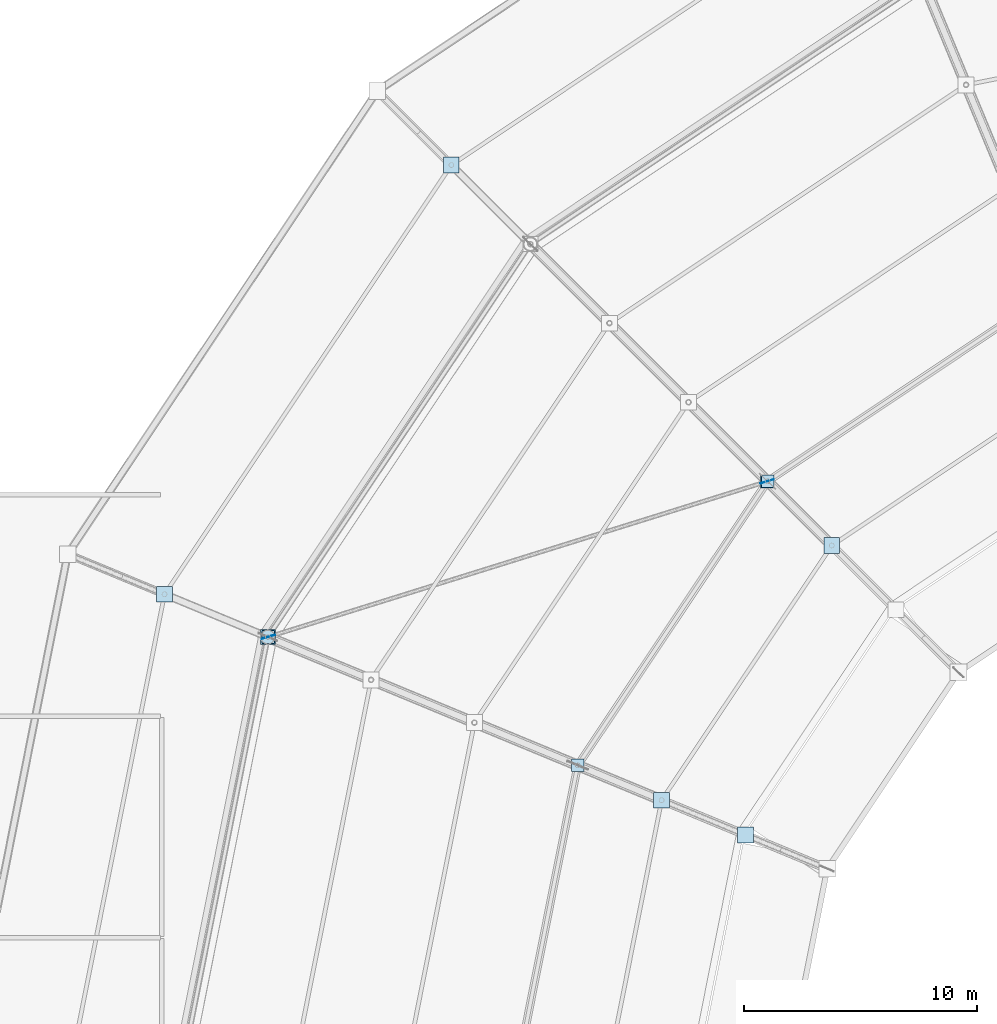
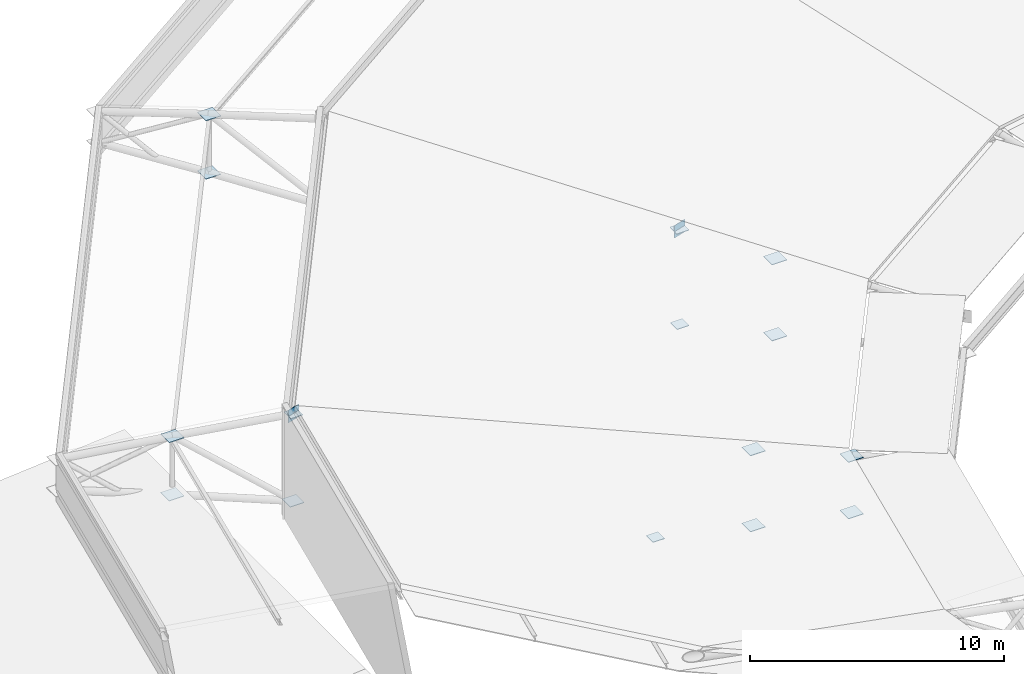
# One storey, part 131 of 146: 17 plates.
"""IFC4 building model written with IfcOpenShell, lengths in metres."""

from ifc_helpers import new_model, si_unit, direction, frame, origin, origin_2d, place, context, subcontext, project, spatial, rectangle, extrude, material, layer, layer_set, type_object, element, save


model = new_model("IFC4")

# Units and contexts
model_context = context("Model", 3, precision=1e-05, world=origin(), true_north=direction((0.0, 1.0)))
body_context = subcontext(model_context, "Body", "Model", "MODEL_VIEW")
ifc_project = project(units=[si_unit("LENGTHUNIT", "METRE"), si_unit("AREAUNIT", "SQUARE_METRE"), si_unit("VOLUMEUNIT", "CUBIC_METRE"), si_unit("PLANEANGLEUNIT", "RADIAN"), si_unit("MASSUNIT", "GRAM", prefix="KILO")], contexts=[model_context])

# Site, building, storey
site_placement = place(None, origin())
site = spatial("IfcSite", under=ifc_project, at=site_placement, CompositionType="ELEMENT")
building_placement = place(site_placement, origin())
building = spatial("IfcBuilding", under=site, at=building_placement, Name="Candeia Ridge Stadium", CompositionType="ELEMENT")
storey_placement = place(building_placement, frame((0.0, 0.0, 31.800048828125)))
storey = spatial("IfcBuildingStorey", under=building, at=storey_placement, Name="RF", CompositionType="ELEMENT", Elevation=31.800048828125)

# Plates
ifc_material = material(Name="Steel ASTM A572 Grade 50", Category="steel")
ifc_layer_1 = layer(ifc_material, 0.02490234375, Name="Steel ASTM A572 Grade 50", Category="steel")
ifc_layer_set_1 = layer_set([ifc_layer_1], Name="Steel ASTM A572 Grade 50")
plate_type_1 = type_object("IfcPlateType", Name="Hollow Section End Closure Plate CP1", PredefinedType="SHEET", material=ifc_layer_set_1)
for number, where, z_axis, x_axis, name in (
    (1, (44.412841796875, 121.587158203125, -2.676513671875), (0.0, 0.0, 1.0), (1.0, 0.0, 0.0), "Hollow section end closure plate MCAP-T-BC-MD-09"),
    (2, (36.26220703125, 109.388916015625, -2.676513671875), (0.0, 0.0, 1.0), (1.0, 0.0, 0.0), "Hollow section end closure plate MCAP-T-BC-MD-10"),
):
    element("IfcPlate", number, at=place(storey_placement, frame(where, z_axis=z_axis, x_axis=x_axis)), inside=storey, type_object=plate_type_1, Name=name, PredefinedType="SHEET", context=body_context, shape_type="SweptSolid", body=[
        extrude(rectangle(XDim=0.5400390625, YDim=0.5400390625, at=origin_2d()), origin(), (0.0, 0.0, 1.0), 0.02490234375),
    ])
plate_placement = place(storey_placement, frame((22.958251953125, 114.899658203125, 0.387451171875), z_axis=(0.0, 0.0, 1.0), x_axis=(1.0, 0.0, 0.0)))
element("IfcPlate", 3, at=plate_placement, inside=storey, type_object=plate_type_1, Name="Hollow section end closure plate MCAP-T-BC-OU-10", PredefinedType="SHEET", context=body_context, shape_type="SweptSolid", body=[
    extrude(rectangle(XDim=0.639892578125, YDim=0.639892578125, at=origin_2d()), origin(), (0.0, 0.0, 1.0), 0.02490234375),
])
ifc_layer_2 = layer(ifc_material, 0.02490234375, Name="Steel ASTM A572 Grade 50", Category="steel")
ifc_layer_set_2 = layer_set([ifc_layer_2], Name="Steel ASTM A572 Grade 50")
plate_type_2 = type_object("IfcPlateType", Name="Hollow Section End Closure Plate CP3", PredefinedType="SHEET", material=ifc_layer_set_2)
for number, where, z_axis, x_axis, name in (
    (4, (47.17041015625, 118.82958984375, 1.201904296875), (0.0, 0.0, 1.0), (1.0, 0.0, 0.0), "Hollow section end closure plate NCAP-T-09-2"),
    (5, (47.17041015625, 118.82958984375, -2.45654296875), (0.0, 0.0, 1.0), (1.0, 0.0, 0.0), "Hollow section end closure plate NCAP-B-09-2"),
    (6, (30.83642578125, 135.16357421875, 3.94580078125), (0.0, 0.0, 1.0), (1.0, 0.0, 0.0), "Hollow section end closure plate NCAP-T-09-7"),
    (7, (30.83642578125, 135.16357421875, 1.139404296875), (0.0, 0.0, 1.0), (1.0, 0.0, 0.0), "Hollow section end closure plate NCAP-B-09-7"),
):
    element("IfcPlate", number, at=place(storey_placement, frame(where, z_axis=z_axis, x_axis=x_axis)), inside=storey, type_object=plate_type_2, Name=name, PredefinedType="SHEET", context=body_context, shape_type="SweptSolid", body=[
        extrude(rectangle(XDim=0.679931640625, YDim=0.679931640625, at=origin_2d()), origin(), (0.0, 0.0, 1.0), 0.02490234375),
    ])
for number, where, z_axis, x_axis, name in (
    (8, (44.393798828125, 121.581298828125, 1.92578125), (0.0, 0.0, 1.0), (1.0, 0.0, 0.0), "Hollow section end closure plate WBCAP-A-09"),
    (9, (22.977294921875, 114.905517578125, 4.585205078125), (0.0, 0.0, 1.0), (1.0, 0.0, 0.0), "Hollow section end closure plate WBCAP-B-09"),
):
    element("IfcPlate", number, at=place(storey_placement, frame(where, z_axis=z_axis, x_axis=x_axis)), inside=storey, type_object=plate_type_2, Name=name, PredefinedType="SHEET", context=body_context, shape_type="SweptSolid", body=[
        extrude(rectangle(XDim=0.550048828125, YDim=0.550048828125, at=origin_2d()), origin(), (0.0, 0.0, 1.0), 0.02490234375),
    ])
for number, where, z_axis, x_axis, name in (
    (10, (43.468505859375, 106.404052734375, 0.530517578125), (0.0, 0.0, 1.0), (1.0, 0.0, 0.0), "Hollow section end closure plate NCAP-T-10-1"),
    (11, (43.468505859375, 106.404052734375, -2.186767578125), (0.0, 0.0, 1.0), (1.0, 0.0, 0.0), "Hollow section end closure plate NCAP-B-10-1"),
    (12, (39.865234375, 107.896484375, 1.201904296875), (0.0, 0.0, 1.0), (1.0, 0.0, 0.0), "Hollow section end closure plate NCAP-T-10-2"),
    (13, (39.865234375, 107.896484375, -2.45654296875), (0.0, 0.0, 1.0), (1.0, 0.0, 0.0), "Hollow section end closure plate NCAP-B-10-2"),
    (14, (18.523681640625, 116.736328125, 3.94580078125), (0.0, 0.0, 1.0), (1.0, 0.0, 0.0), "Hollow section end closure plate NCAP-T-10-7"),
    (15, (18.523681640625, 116.736328125, 1.139404296875), (0.0, 0.0, 1.0), (1.0, 0.0, 0.0), "Hollow section end closure plate NCAP-B-10-7"),
):
    element("IfcPlate", number, at=place(storey_placement, frame(where, z_axis=z_axis, x_axis=x_axis)), inside=storey, type_object=plate_type_2, Name=name, PredefinedType="SHEET", context=body_context, shape_type="SweptSolid", body=[
        extrude(rectangle(XDim=0.679931640625, YDim=0.679931640625, at=origin_2d()), origin(), (0.0, 0.0, 1.0), 0.02490234375),
    ])
ifc_layer_3 = layer(ifc_material, 0.02392578125, Name="Steel ASTM A572 Grade 50", Category="steel")
ifc_layer_set_3 = layer_set([ifc_layer_3], Name="Steel ASTM A572 Grade 50")
plate_type_3 = type_object("IfcPlateType", Name="Roof Truss Chord-Web Node Gusset ND-3", PredefinedType="USERDEFINED", material=ifc_layer_set_3)
for number, where, z_axis, x_axis, name in (
    (16, (44.393798828125, 121.581298828125, 1.63818359375), (0.0, 0.0, 1.0), (-0.954693302709, -0.297591494775, 0.0), "Roof wind brace end gusset A bay 10"),
    (17, (22.977294921875, 114.905517578125, 4.297607421875), (0.0, 0.0, 1.0), (-0.954693302709, -0.297591494775, 0.0), "Roof wind brace end gusset B bay 10"),
):
    element("IfcPlate", number, at=place(storey_placement, frame(where, z_axis=z_axis, x_axis=x_axis)), inside=storey, type_object=plate_type_3, Name=name, ObjectType="GUSSET PLATE", PredefinedType="USERDEFINED", context=body_context, shape_type="SweptSolid", body=[
        extrude(rectangle(XDim=0.60009765625, YDim=0.02392578125, at=origin_2d()), origin(), (0.0, 0.0, 1.0), 0.60009765625),
    ])

save(model, "model.ifc")
